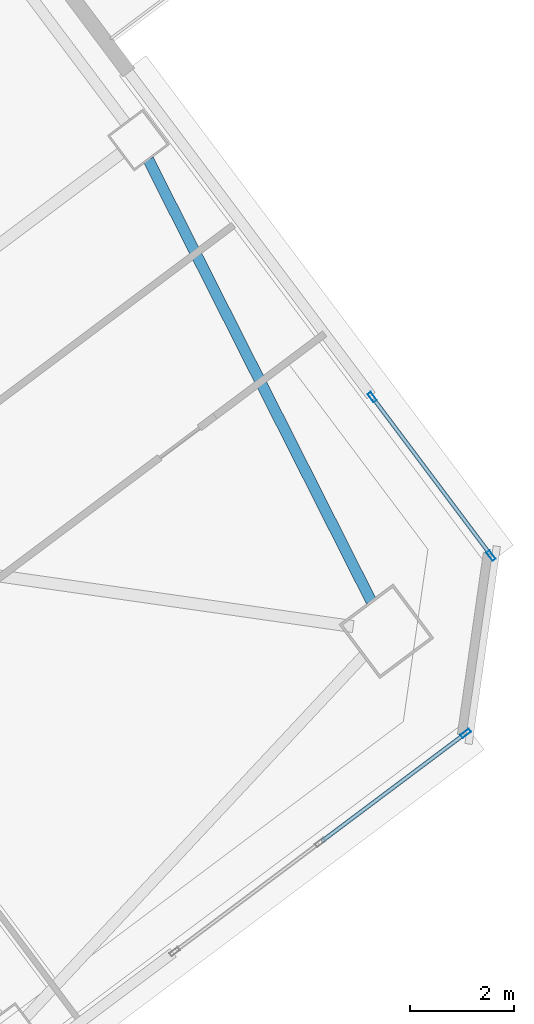
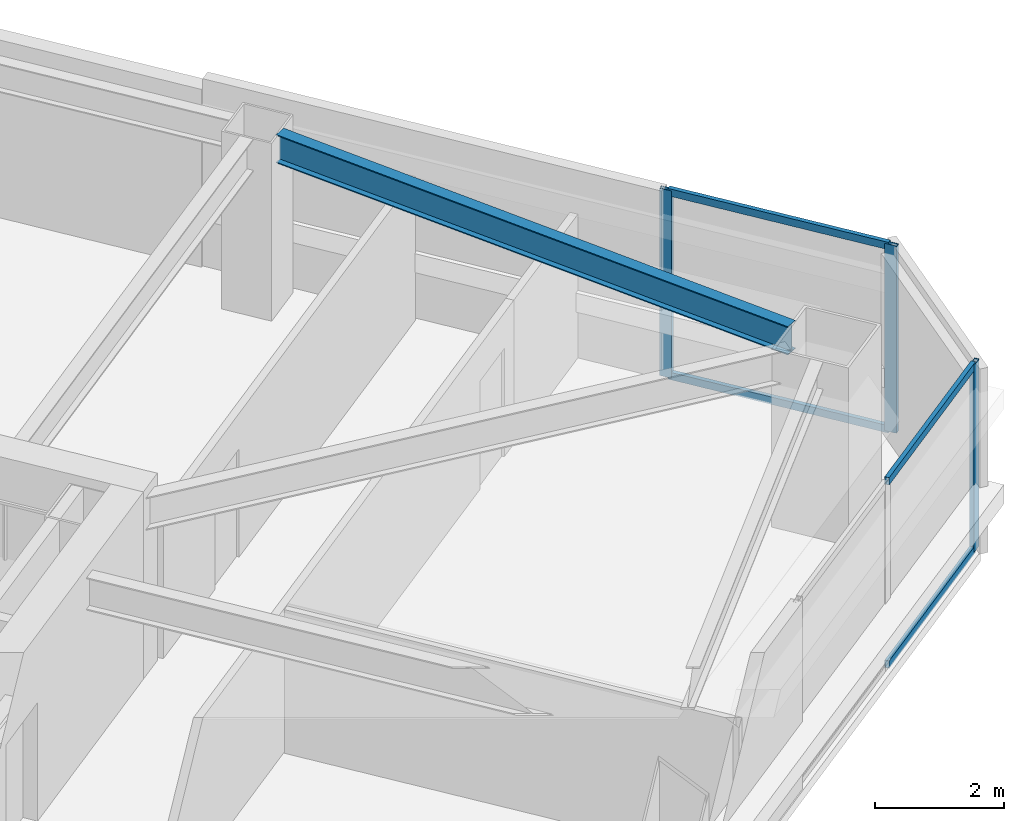
# One storey, part 27 of 46: 7 members, 1 beam, 2 elements without a shape of their own.
"""IFC4 building model written with IfcOpenShell, lengths in metres."""

import ifcopenshell
import ifcopenshell.guid

model = None  # the IFC model being written
_history = None  # IfcOwnerHistory: only IFC2X3 demands one
_inside = {}  # id of a spatial element -> (the spatial element, [elements in it])
_under = {}  # id of a project, library or spatial element -> (it, [spatial elements below it])
_declared = {}  # id of a project -> (the project, [libraries it declares])
_typed = {}  # id of a type object -> (the type object, [elements of that type])
_made_of = {}  # id of a material, layer set ... -> (it, [elements and type objects made of it])


def new_model(schema):
    """Start an empty IFC model of exactly this schema.

    Asked for "IFC4X3", IfcOpenShell would pick the latest addendum, in which some entities
    have other attributes; the version numbers below select the first issue.
    IFC2X3 requires an IfcOwnerHistory on every rooted entity: one is made here for all.
    """
    global model, _history
    if schema == "IFC4X3":
        model = ifcopenshell.file(schema_version=(4, 3, 0, 0))
    else:
        model = ifcopenshell.file(schema=schema)
    _inside.clear()
    _under.clear()
    _declared.clear()
    _typed.clear()
    _made_of.clear()
    _history = None
    if model.schema == "IFC2X3":
        org = make("IfcOrganization", Name="unknown")
        user = make(
            "IfcPersonAndOrganization",
            ThePerson=make("IfcPerson", FamilyName="unknown"),
            TheOrganization=org,
        )
        app = make(
            "IfcApplication",
            ApplicationDeveloper=org,
            Version="unknown",
            ApplicationFullName="unknown",
            ApplicationIdentifier="unknown",
        )
        _history = make(
            "IfcOwnerHistory",
            OwningUser=user,
            OwningApplication=app,
            ChangeAction="ADDED",
            CreationDate=0,
        )
    return model


def make(cls, **values):
    """One entity of the class cls with the attributes given. An attribute that is None is left unset."""
    return model.create_entity(
        cls, **{name: value for name, value in values.items() if value is not None}
    )


def rooted(cls, **values):
    """An entity with a GlobalId (a new one), such as an element, a storey or a relation."""
    return make(cls, GlobalId=ifcopenshell.guid.new(), OwnerHistory=_history, **values)


def si_unit(unit_type, name, prefix=None):
    """IfcSIUnit, for example si_unit("LENGTHUNIT", "METRE", prefix="MILLI")."""
    return make("IfcSIUnit", UnitType=unit_type, Prefix=prefix, Name=name)


def assignment(units):
    """IfcUnitAssignment: the units of a project."""
    return None if units is None else make("IfcUnitAssignment", Units=units)


def point(xyz):
    """IfcCartesianPoint."""
    return None if xyz is None else make("IfcCartesianPoint", Coordinates=xyz)


def direction(xyz):
    """IfcDirection."""
    return None if xyz is None else make("IfcDirection", DirectionRatios=xyz)


def frame(location, z_axis=None, x_axis=None):
    """IfcAxis2Placement3D, a coordinate frame: its origin and axes. An axis left out is left unset."""
    return make(
        "IfcAxis2Placement3D",
        Location=point(location),
        Axis=direction(z_axis),
        RefDirection=direction(x_axis),
    )


def frame_2d(location, x_axis=None):
    """IfcAxis2Placement2D, a coordinate frame in the plane: its origin and x axis."""
    return make(
        "IfcAxis2Placement2D", Location=point(location), RefDirection=direction(x_axis)
    )


def origin():
    """The frame at (0, 0, 0) with its axes left unset."""
    return frame((0.0, 0.0, 0.0))


def origin_2d():
    """The frame at (0, 0) in the plane with its x axis left unset."""
    return frame_2d((0.0, 0.0))


def place(relative_to, where):
    """IfcLocalPlacement: puts the frame where relative to a parent placement (None: the world)."""
    return make(
        "IfcLocalPlacement", PlacementRelTo=relative_to, RelativePlacement=where
    )


def context(
    kind, dimensions, precision=None, world=None, true_north=None, identifier=None
):
    """IfcGeometricRepresentationContext, for example the 3D "Model" context."""
    return make(
        "IfcGeometricRepresentationContext",
        ContextIdentifier=identifier,
        ContextType=kind,
        CoordinateSpaceDimension=dimensions,
        Precision=precision,
        WorldCoordinateSystem=world,
        TrueNorth=true_north,
    )


def subcontext(parent, identifier, kind, view, scale=None):
    """IfcGeometricRepresentationSubContext, for example "Body" below "Model"."""
    return make(
        "IfcGeometricRepresentationSubContext",
        ContextIdentifier=identifier,
        ContextType=kind,
        ParentContext=parent,
        TargetScale=scale,
        TargetView=view,
    )


def project(units=None, contexts=None):
    """IfcProject with its units and contexts."""
    return rooted(
        "IfcProject",
        Name="project",
        RepresentationContexts=contexts,
        UnitsInContext=assignment(units),
    )


def spatial(cls, under=None, at=None, **own):
    """A site, building, storey or space (cls), placed at a placement, below another one or the project."""
    s = rooted(cls, ObjectPlacement=at, **own)
    if under is not None:
        _under.setdefault(under.id(), (under, []))[1].append(s)
    return s


def profile(cls, at=None, kind="AREA", **sizes):
    """A parametric profile (cls). Its sizes go by their IFC names, for example OverallWidth=200.0."""
    return make(cls, ProfileType=kind, Position=at, **sizes)


def hollow_rectangle(**sizes):
    """IfcRectangleHollowProfileDef."""
    return profile("IfcRectangleHollowProfileDef", **sizes)


def i_section(**sizes):
    """IfcIShapeProfileDef."""
    return profile("IfcIShapeProfileDef", **sizes)


def extrude(swept, where, along, depth):
    """IfcExtrudedAreaSolid: the profile swept, set in the frame where, extruded along a direction by depth."""
    return make(
        "IfcExtrudedAreaSolid",
        SweptArea=swept,
        Position=where,
        ExtrudedDirection=direction(along),
        Depth=depth,
    )


def shape(context_of_items, identifier, shape_type, items):
    """IfcShapeRepresentation: the items that make up one representation, for example the "Body"."""
    return make(
        "IfcShapeRepresentation",
        ContextOfItems=context_of_items,
        RepresentationIdentifier=identifier,
        RepresentationType=shape_type,
        Items=items,
    )


def material(Name=None, Category=None):
    """IfcMaterial."""
    return make("IfcMaterial", Name=Name, Category=Category)


def material_profile(
    of_material, cross_section, Name=None, Category=None, Priority=None
):
    """IfcMaterialProfile: a cross section and its material."""
    return make(
        "IfcMaterialProfile",
        Name=Name,
        Material=of_material,
        Profile=cross_section,
        Priority=Priority,
        Category=Category,
    )


def profile_set(profiles, Name=None, composite=None):
    """IfcMaterialProfileSet."""
    return make(
        "IfcMaterialProfileSet",
        Name=Name,
        MaterialProfiles=profiles,
        CompositeProfile=composite,
    )


def made_of(thing, what):
    """Note that an element or type object is made of a material, layer set ...; save() writes the relation."""
    if what is not None:
        _made_of.setdefault(what.id(), (what, []))[1].append(thing)
    return thing


def type_object(cls, material=None, **own):
    """A type object (cls), such as IfcWallType, which elements share."""
    return made_of(rooted(cls, **own), material)


def element(
    cls,
    number,
    at=None,
    inside=None,
    cuts=None,
    type_object=None,
    material=None,
    context=None,
    identifier="Body",
    shape_type=None,
    held_by="IfcProductDefinitionShape",
    body=None,
    shapes=None,
    **own,
):
    """One element of the class cls, such as IfcWall. Its Tag is "e" and its number.

    at: its placement. inside: the storey or other place that contains it. cuts: it is an
    opening in that element (IfcRelVoidsElement). A single representation is given by context,
    identifier, shape_type and body (its items); several are given by shapes. held_by: the class
    of the entity that holds the representations. save() writes the other relations.
    """
    e = rooted(cls, Tag="e%d" % number, ObjectPlacement=at, **own)
    if body is not None:
        shapes = [shape(context, identifier, shape_type, body)]
    if shapes is not None:
        e.Representation = make(held_by, Representations=shapes)
    if inside is not None:
        _inside.setdefault(inside.id(), (inside, []))[1].append(e)
    if cuts is not None:
        rooted(
            "IfcRelVoidsElement", RelatingBuildingElement=cuts, RelatedOpeningElement=e
        )
    if type_object is not None:
        _typed.setdefault(type_object.id(), (type_object, []))[1].append(e)
    return made_of(e, material)


def aggregate(whole, parts):
    """IfcRelAggregates: a whole, such as a stair, and the parts it consists of."""
    return rooted("IfcRelAggregates", RelatingObject=whole, RelatedObjects=parts)


def save(model, path):
    """Write the relations noted so far, then the file.

    IfcRelAggregates (storeys below a building ...), IfcRelContainedInSpatialStructure (elements
    in a storey), IfcRelDefinesByType, IfcRelAssociatesMaterial and IfcRelDeclares: one each for
    every whole, place, type object, material and project.
    """
    for whole, parts in _under.values():
        aggregate(whole, parts)
    for where, things in _inside.values():
        rooted(
            "IfcRelContainedInSpatialStructure",
            RelatedElements=things,
            RelatingStructure=where,
        )
    for kind, things in _typed.values():
        rooted("IfcRelDefinesByType", RelatedObjects=things, RelatingType=kind)
    for what, things in _made_of.values():
        rooted("IfcRelAssociatesMaterial", RelatedObjects=things, RelatingMaterial=what)
    for by, libraries in _declared.values():
        rooted("IfcRelDeclares", RelatingContext=by, RelatedDefinitions=libraries)
    model.write(path)


model = new_model("IFC4")

# Units and contexts
model_context = context("Model", 3, precision=1e-05, world=origin(), true_north=direction((0.0, 1.0)))
body_context = subcontext(model_context, "Body", "Model", "MODEL_VIEW")
ifc_project = project(units=[si_unit("LENGTHUNIT", "METRE"), si_unit("AREAUNIT", "SQUARE_METRE"), si_unit("VOLUMEUNIT", "CUBIC_METRE"), si_unit("PLANEANGLEUNIT", "RADIAN"), si_unit("MASSUNIT", "GRAM", prefix="KILO")], contexts=[model_context])

# Site, building, storey
site_placement = place(None, origin())
site = spatial("IfcSite", under=ifc_project, at=site_placement, CompositionType="ELEMENT")
building_placement = place(site_placement, origin())
building = spatial("IfcBuilding", under=site, at=building_placement, Name="Tashvorn Skyway Center", CompositionType="ELEMENT")
storey_placement = place(building_placement, frame((0.0, 0.0, 132.14990234375)))
storey = spatial("IfcBuildingStorey", under=building, at=storey_placement, Name="L35", CompositionType="ELEMENT", Elevation=132.14990234375)

# Beam
ifc_material_1 = material(Name="Steel ASTM A992 Grade 50", Category="steel")
ifc_material_profile_1 = material_profile(ifc_material_1, i_section(OverallWidth=0.2109375, OverallDepth=0.5390625, WebThickness=0.01171875, FlangeThickness=0.018798828125, at=origin_2d()), Name="W21X73")
ifc_profile_set_1 = profile_set([ifc_material_profile_1], Name="Steel ASTM A992 Grade 50")
beam_type = type_object("IfcBeamType", Name="BM-SPANDREL-W21X73", PredefinedType="SPANDREL", material=ifc_profile_set_1)
beam_placement = place(storey_placement, frame((135.829345703125, 29.415771484375, 3.1005859375), z_axis=(-0.450613543136, 0.892719124217, 0.0), x_axis=(-0.892719124217, -0.450613543136, 0.0)))
element("IfcBeam", 1, at=beam_placement, inside=storey, type_object=beam_type, Name="Tower 2 L35 Spandrel Beam 04", PredefinedType="SPANDREL", context=body_context, shape_type="SweptSolid", body=[
    extrude(i_section(OverallWidth=0.2109375, OverallDepth=0.5390625, WebThickness=0.01171875, FlangeThickness=0.018798828125, at=origin_2d()), origin(), (0.0, 0.0, 1.0), 9.498291015625),
])

# Curtain wall, member
ifc_material_2 = material(Name="Thermally broken bronze-anodized aluminium 6063-T6", Category="aluminium")
curtain_wall_type = type_object("IfcCurtainWallType", Name="CW-CW-Z3", PredefinedType="NOTDEFINED", material=ifc_material_2)
curtain_wall_1_placement = place(storey_placement, origin())
curtain_wall_1 = element("IfcCurtainWall", 2, at=curtain_wall_1_placement, inside=storey, type_object=curtain_wall_type, Name="Tower 2 L35 South Unitised Curtain Wall Glazing Group 1", PredefinedType="NOTDEFINED")
ifc_material_profile_2 = material_profile(ifc_material_2, hollow_rectangle(XDim=0.074951171875, YDim=0.199951171875, WallThickness=0.00439453125, at=origin_2d()), Name="ALU-MULL-75x200")
ifc_profile_set_2 = profile_set([ifc_material_profile_2], Name="Thermally broken bronze-anodized aluminium 6063-T6")
member_type_1 = type_object("IfcMemberType", Name="CWM-CW-Z3", PredefinedType="MULLION", material=ifc_profile_set_2)
member_1_placement = place(storey_placement, frame((137.64208984375, 26.881591796875, 0.0), z_axis=(0.0, 0.0, 1.0), x_axis=(0.600004533995, -0.799996599484, 0.0)))
member_1 = element("IfcMember", 3, at=member_1_placement, type_object=member_type_1, Name="CW-Z3 mullion 1", PredefinedType="MULLION", context=body_context, shape_type="SweptSolid", body=[
    extrude(hollow_rectangle(XDim=0.074951171875, YDim=0.199951171875, WallThickness=0.00439453125, at=origin_2d()), origin(), (0.0, 0.0, 1.0), 3.550048828125),
])

# Curtain wall, members
curtain_wall_2_placement = place(storey_placement, origin())
curtain_wall_2 = element("IfcCurtainWall", 4, at=curtain_wall_2_placement, inside=storey, type_object=curtain_wall_type, Name="Tower 2 L35 East Curtain Wall R Glazing Group 1", PredefinedType="NOTDEFINED")
member_2_placement = place(storey_placement, frame((135.848388671875, 33.335205078125, 0.0), z_axis=(0.0, 0.0, 1.0), x_axis=(0.799996904524, 0.600004127279, 0.0)))
member_2 = element("IfcMember", 5, at=member_2_placement, type_object=member_type_1, Name="CW-Z3 mullion 1", PredefinedType="MULLION", context=body_context, shape_type="SweptSolid", body=[
    extrude(hollow_rectangle(XDim=0.074951171875, YDim=0.199951171875, WallThickness=0.00439453125, at=origin_2d()), origin(), (0.0, 0.0, 1.0), 3.550048828125),
])
member_3_placement = place(storey_placement, frame((138.12939453125, 30.2939453125, 0.0), z_axis=(0.0, 0.0, 1.0), x_axis=(0.799996904524, 0.600004127279, 0.0)))
member_3 = element("IfcMember", 6, at=member_3_placement, type_object=member_type_1, Name="CW-Z3 mullion 2", PredefinedType="MULLION", context=body_context, shape_type="SweptSolid", body=[
    extrude(hollow_rectangle(XDim=0.074951171875, YDim=0.199951171875, WallThickness=0.00439453125, at=origin_2d()), origin(), (0.0, 0.0, 1.0), 3.550048828125),
])

# Member
ifc_material_profile_3 = material_profile(ifc_material_2, hollow_rectangle(XDim=0.074951171875, YDim=0.139892578125, WallThickness=0.004150390625, at=origin_2d()), Name="ALU-TRAN-75x140")
ifc_profile_set_3 = profile_set([ifc_material_profile_3], Name="Thermally broken bronze-anodized aluminium 6063-T6")
member_type_2 = type_object("IfcMemberType", Name="CWT-CW-Z3", PredefinedType="USERDEFINED", material=ifc_profile_set_3)
member_4_placement = place(storey_placement, frame((137.612060546875, 26.85888671875, 0.03759765625), z_axis=(-0.800008575267, -0.59998856614, 0.0), x_axis=(0.59998856614, -0.800008575267, 0.0)))
member_4 = element("IfcMember", 7, at=member_4_placement, type_object=member_type_2, Name="CW-Z3 transom 1.1", ObjectType="TRANSOM", PredefinedType="USERDEFINED", context=body_context, shape_type="SweptSolid", body=[
    extrude(hollow_rectangle(XDim=0.074951171875, YDim=0.139892578125, WallThickness=0.004150390625, at=origin_2d()), origin(), (0.0, 0.0, 1.0), 3.41650390625),
])

member_5_placement = place(storey_placement, frame((137.612060546875, 26.85888671875, 3.5126953125), z_axis=(-0.800008575267, -0.59998856614, 0.0), x_axis=(0.59998856614, -0.800008575267, 0.0)))
member_5 = element("IfcMember", 8, at=member_5_placement, type_object=member_type_2, Name="CW-Z3 transom 1.2", ObjectType="TRANSOM", PredefinedType="USERDEFINED", context=body_context, shape_type="SweptSolid", body=[
    extrude(hollow_rectangle(XDim=0.074951171875, YDim=0.139892578125, WallThickness=0.004150390625, at=origin_2d()), origin(), (0.0, 0.0, 1.0), 3.41650390625),
])

aggregate(curtain_wall_1, [member_1, member_4, member_5])

member_6_placement = place(storey_placement, frame((135.87109375, 33.305419921875, 0.03759765625), z_axis=(0.599958071554, -0.800031444618, 0.0), x_axis=(0.800031444618, 0.599958071554, 0.0)))
member_6 = element("IfcMember", 9, at=member_6_placement, type_object=member_type_2, Name="CW-Z3 transom 1.1", ObjectType="TRANSOM", PredefinedType="USERDEFINED", context=body_context, shape_type="SweptSolid", body=[
    extrude(hollow_rectangle(XDim=0.074951171875, YDim=0.139892578125, WallThickness=0.004150390625, at=origin_2d()), origin(), (0.0, 0.0, 1.0), 3.7265625),
])

member_7_placement = place(storey_placement, frame((135.87109375, 33.305419921875, 3.5126953125), z_axis=(0.599958071554, -0.800031444618, 0.0), x_axis=(0.800031444618, 0.599958071554, 0.0)))
member_7 = element("IfcMember", 10, at=member_7_placement, type_object=member_type_2, Name="CW-Z3 transom 1.2", ObjectType="TRANSOM", PredefinedType="USERDEFINED", context=body_context, shape_type="SweptSolid", body=[
    extrude(hollow_rectangle(XDim=0.074951171875, YDim=0.139892578125, WallThickness=0.004150390625, at=origin_2d()), origin(), (0.0, 0.0, 1.0), 3.7265625),
])

aggregate(curtain_wall_2, [member_2, member_3, member_6, member_7])

save(model, "model.ifc")
